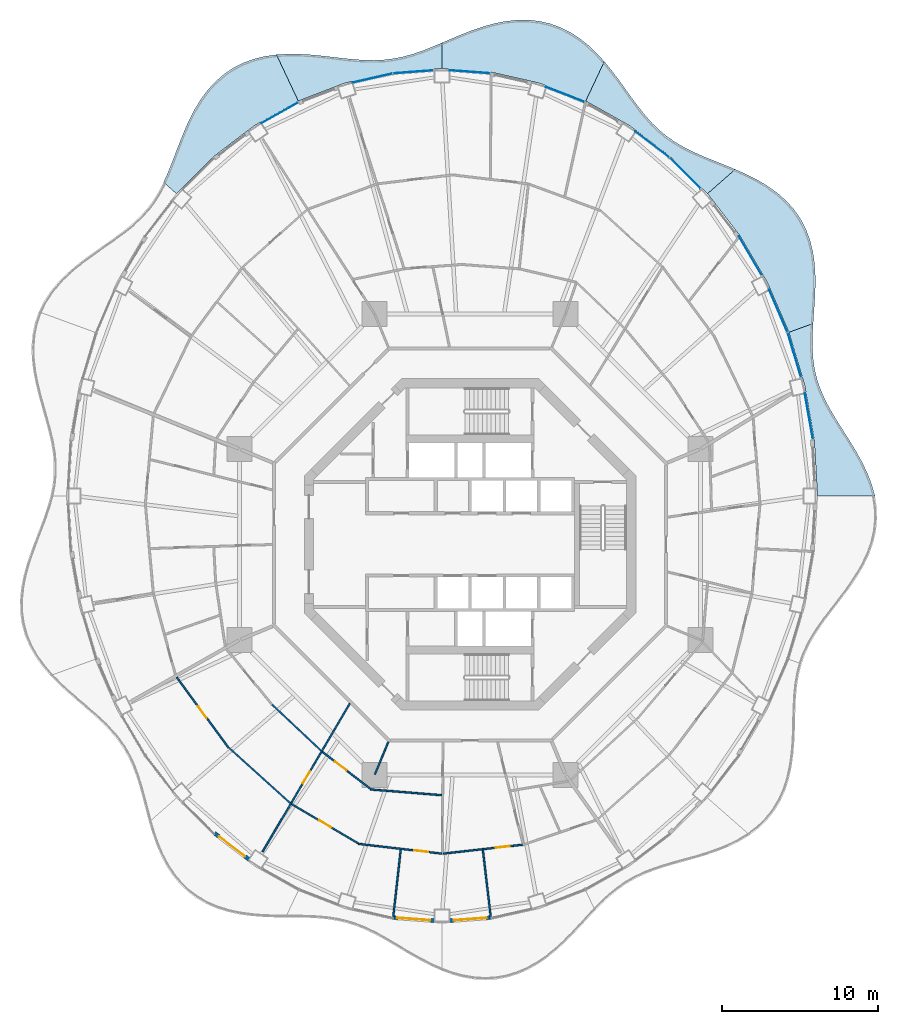
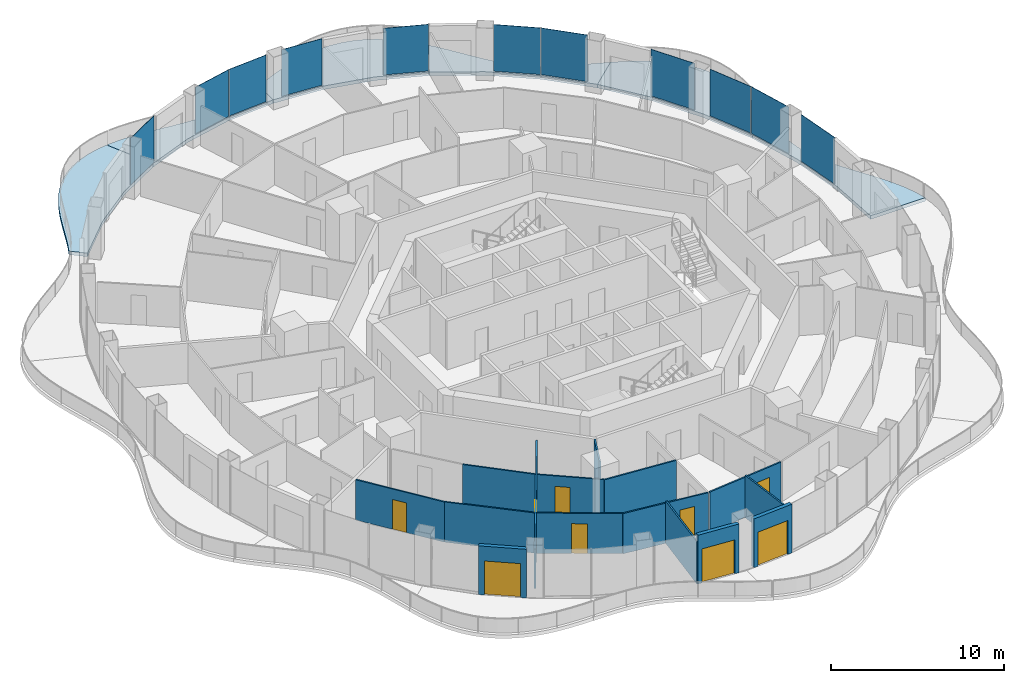
# One storey, part 9 of 18: 15 walls, 11 plates, 9 doors, 6 slabs, 9 openings, 11 elements without a shape of their own.
"""IFC4 building model written with IfcOpenShell, lengths in metres."""

from ifc_helpers import new_model, si_unit, direction, frame, frame_2d, origin, origin_2d, place, context, subcontext, project, spatial, polyline, rectangle, outline, extrude, material, layer, layer_set, type_object, element, fill, aggregate, save


model = new_model("IFC4")

# Units and contexts
model_context = context("Model", 3, precision=1e-05, world=origin(), true_north=direction((0.0, 1.0)))
body_context = subcontext(model_context, "Body", "Model", "MODEL_VIEW")
ifc_project = project(units=[si_unit("LENGTHUNIT", "METRE"), si_unit("AREAUNIT", "SQUARE_METRE"), si_unit("VOLUMEUNIT", "CUBIC_METRE"), si_unit("PLANEANGLEUNIT", "RADIAN"), si_unit("MASSUNIT", "GRAM", prefix="KILO")], contexts=[model_context])

# Site, building, storey
site_placement = place(None, origin())
site = spatial("IfcSite", under=ifc_project, at=site_placement, CompositionType="ELEMENT")
building_placement = place(site_placement, origin())
building = spatial("IfcBuilding", under=site, at=building_placement, Name="Nagisa Residences", CompositionType="ELEMENT")
storey_placement = place(building_placement, frame((0.0, 0.0, 219.60009765625)))
storey = spatial("IfcBuildingStorey", under=building, at=storey_placement, Name="L55", CompositionType="ELEMENT", Elevation=219.60009765625)

# Slabs
ifc_material_1 = material(Name="Concrete C40/50", Category="concrete")
ifc_layer_1 = layer(ifc_material_1, 0.25)
ifc_layer_set_1 = layer_set([ifc_layer_1], Name="BALCONY SLAB 250")
slab_type = type_object("IfcSlabType", Name="BALCONY SLAB 250", PredefinedType="FLOOR", material=ifc_layer_set_1)
slab_1_placement = place(storey_placement, frame((0.0, 0.0, -0.25)))
element("IfcSlab", 1, at=slab_1_placement, inside=storey, type_object=slab_type, Name="slab:L55:bal00", PredefinedType="FLOOR", context=body_context, shape_type="SweptSolid", body=[
    extrude(outline(polyline([(25.9443359375, 3.11767578125), (25.737548828125, 3.860595703125), (25.453857421875, 4.592041015625), (25.10791015625, 5.30859375), (24.716796875, 6.008544921875), (24.299560546875, 6.69140625), (23.875732421875, 7.35888671875), (23.463623046875, 8.013427734375), (23.08056640625, 8.65966796875), (22.741455078125, 9.302734375), (22.45703125, 9.948486328125), (22.234375, 10.60302734375), (22.076416015625, 11.272216796875), (21.980712890625, 11.960205078125), (21.94140625, 12.6708984375), (21.947998046875, 13.4052734375), (21.98681640625, 14.163330078125), (20.437744140625, 13.599365234375), (21.449951171875, 10.206787109375), (22.06396484375, 6.69287109375), (22.27001953125, 3.11767578125), (25.9443359375, 3.11767578125)])), origin(), (0.0, 0.0, 1.0), 0.25),
])
slab_2_placement = place(storey_placement, frame((0.0, 0.0, -0.25)))
element("IfcSlab", 2, at=slab_2_placement, inside=storey, type_object=slab_type, Name="slab:L55:bal01", PredefinedType="FLOOR", context=body_context, shape_type="SweptSolid", body=[
    extrude(outline(polyline([(21.98681640625, 14.163330078125), (22.039794921875, 14.917724609375), (22.091552734375, 15.687255859375), (22.125732421875, 16.466064453125), (22.1259765625, 17.246337890625), (22.07763671875, 18.019775390625), (21.9677734375, 18.77685546875), (21.786376953125, 19.50830078125), (21.52685546875, 20.205322265625), (21.1865234375, 20.8603515625), (20.765625, 21.467041015625), (20.268798828125, 22.021484375), (19.70361328125, 22.52197265625), (19.080078125, 22.969482421875), (18.411376953125, 23.36767578125), (17.710693359375, 23.722900390625), (16.9931640625, 24.04345703125), (15.219970703125, 22.4853515625), (17.2958984375, 19.791748046875), (19.045166015625, 16.812744140625), (20.437744140625, 13.599365234375), (21.98681640625, 14.163330078125)])), origin(), (0.0, 0.0, 1.0), 0.25),
])
slab_3_placement = place(storey_placement, frame((0.0, 0.0, -0.25)))
element("IfcSlab", 3, at=slab_3_placement, inside=storey, type_object=slab_type, Name="slab:L55:bal02", PredefinedType="FLOOR", context=body_context, shape_type="SweptSolid", body=[
    extrude(outline(polyline([(16.9931640625, 24.04345703125), (16.30615234375, 24.326416015625), (15.6279296875, 24.597412109375), (14.96826171875, 24.867431640625), (14.33544921875, 25.147216796875), (13.735107421875, 25.44677734375), (13.169921875, 25.77490234375), (12.64111328125, 26.138916015625), (12.146240234375, 26.5439453125), (11.680908203125, 26.991943359375), (11.2392578125, 27.48291015625), (10.81298828125, 28.01318359375), (10.3935546875, 28.57666015625), (9.9716796875, 29.16455078125), (9.5380859375, 29.765625), (9.084716796875, 30.36669921875), (8.604248046875, 30.953857421875), (7.4111328125, 28.4228515625), (10.235107421875, 26.838134765625), (12.852783203125, 24.84765625), (15.219970703125, 22.4853515625), (16.9931640625, 24.04345703125)])), origin(), (0.0, 0.0, 1.0), 0.25),
])
slab_4_placement = place(storey_placement, frame((0.0, 0.0, -0.25)))
element("IfcSlab", 4, at=slab_4_placement, inside=storey, type_object=slab_type, Name="slab:L55:bal03", PredefinedType="FLOOR", context=body_context, shape_type="SweptSolid", body=[
    extrude(outline(polyline([(8.604248046875, 30.953857421875), (8.110107421875, 31.49267578125), (7.58251953125, 31.992431640625), (7.01953125, 32.4404296875), (6.422119140625, 32.82666015625), (5.7919921875, 33.14208984375), (5.133056640625, 33.380615234375), (4.4501953125, 33.5390625), (3.74951171875, 33.616455078125), (3.037109375, 33.61572265625), (2.320068359375, 33.5419921875), (1.604248046875, 33.403564453125), (0.8955078125, 33.21044921875), (0.197998046875, 32.975341796875), (-0.484375, 32.71142578125), (-1.150634765625, 32.432861328125), (-1.800048828125, 32.153564453125), (-1.800048828125, 30.5078125), (1.341796875, 30.2734375), (4.4296875, 29.574462890625), (7.4111328125, 28.4228515625), (8.604248046875, 30.953857421875)])), origin(), (0.0, 0.0, 1.0), 0.25),
])
slab_5_placement = place(storey_placement, frame((0.0, 0.0, -0.25)))
element("IfcSlab", 5, at=slab_5_placement, inside=storey, type_object=slab_type, Name="slab:L55:bal04", PredefinedType="FLOOR", context=body_context, shape_type="SweptSolid", body=[
    extrude(outline(polyline([(-1.800048828125, 32.153564453125), (-2.43408203125, 31.88623046875), (-3.055419921875, 31.64306640625), (-3.667724609375, 31.43359375), (-4.27587890625, 31.26513671875), (-4.884765625, 31.14208984375), (-5.49951171875, 31.065673828125), (-6.12451171875, 31.034912109375), (-6.76416015625, 31.044921875), (-7.4208984375, 31.08837890625), (-8.09619140625, 31.156494140625), (-8.7900390625, 31.237548828125), (-9.5, 31.319091796875), (-10.22314453125, 31.38818359375), (-10.953857421875, 31.431884765625), (-11.68603515625, 31.43798828125), (-12.412353515625, 31.395263671875), (-11.01123046875, 28.4228515625), (-8.02978515625, 29.574462890625), (-4.941650390625, 30.2734375), (-1.800048828125, 30.5078125), (-1.800048828125, 32.153564453125)])), origin(), (0.0, 0.0, 1.0), 0.25),
])
slab_6_placement = place(storey_placement, frame((0.0, 0.0, -0.25)))
element("IfcSlab", 6, at=slab_6_placement, inside=storey, type_object=slab_type, Name="slab:L55:bal05", PredefinedType="FLOOR", context=body_context, shape_type="SweptSolid", body=[
    extrude(outline(polyline([(-12.412353515625, 31.395263671875), (-13.151123046875, 31.289794921875), (-13.86572265625, 31.114013671875), (-14.548095703125, 30.86328125), (-15.190185546875, 30.53564453125), (-15.78564453125, 30.1328125), (-16.33056640625, 29.65869140625), (-16.82275390625, 29.12060546875), (-17.26220703125, 28.527587890625), (-17.652099609375, 27.890869140625), (-17.99755859375, 27.22265625), (-18.3056640625, 26.535400390625), (-18.586181640625, 25.84130859375), (-18.84912109375, 25.152587890625), (-19.10595703125, 24.4794921875), (-19.3681640625, 23.830322265625), (-19.64697265625, 23.2119140625), (-18.820068359375, 22.4853515625), (-16.452880859375, 24.84765625), (-13.8349609375, 26.838134765625), (-11.01123046875, 28.4228515625), (-12.412353515625, 31.395263671875)])), origin(), (0.0, 0.0, 1.0), 0.25),
])

# Curtain wall, plate
ifc_material_2 = material(Name="Concrete-coloured aluminium curtain wall system", Category="concrete")
ifc_layer_2 = layer(ifc_material_2, 0.159912109375)
ifc_layer_set_2 = layer_set([ifc_layer_2], Name="CW1 CURTAIN WALL")
curtain_wall_type = type_object("IfcCurtainWallType", Name="CW1 CURTAIN WALL", PredefinedType="NOTDEFINED", material=ifc_layer_set_2)
curtain_wall_1_placement = place(storey_placement, origin())
curtain_wall_1 = element("IfcCurtainWall", 7, at=curtain_wall_1_placement, inside=storey, type_object=curtain_wall_type, Name="cw:CW1:L55:01", PredefinedType="NOTDEFINED")
ifc_material_3 = material(Name="Clear laminated glass", Category="glass")
ifc_layer_3 = layer(ifc_material_3, 0.028076171875)
ifc_layer_set_3 = layer_set([ifc_layer_3], Name="CW1 GLASS PANEL")
plate_type = type_object("IfcPlateType", Name="CW1 GLASS PANEL", PredefinedType="CURTAIN_PANEL", material=ifc_layer_set_3)
plate_1_placement = place(storey_placement, frame((21.716064453125, 8.21923828125, 0.14990234375), z_axis=(0.0, 0.0, 1.0), x_axis=(-0.172190868898, 0.985063604377, 0.0)))
plate_1 = element("IfcPlate", 8, at=plate_1_placement, type_object=plate_type, Name="CW1 panel", PredefinedType="CURTAIN_PANEL", context=body_context, shape_type="SweptSolid", body=[
    extrude(rectangle(XDim=3.00732421875, YDim=0.028076171875, at=origin_2d()), origin(), (0.0, 0.0, 1.0), 3.2900390625),
])
aggregate(curtain_wall_1, [plate_1])

curtain_wall_2_placement = place(storey_placement, origin())
curtain_wall_2 = element("IfcCurtainWall", 9, at=curtain_wall_2_placement, inside=storey, type_object=curtain_wall_type, Name="cw:CW1:L55:02", PredefinedType="NOTDEFINED")
plate_2_placement = place(storey_placement, frame((20.787109375, 12.1484375, 0.14990234375), z_axis=(0.0, 0.0, 1.0), x_axis=(-0.285860274038, 0.958271310082, 0.0)))
plate_2 = element("IfcPlate", 10, at=plate_2_placement, type_object=plate_type, Name="CW1 panel", PredefinedType="CURTAIN_PANEL", context=body_context, shape_type="SweptSolid", body=[
    extrude(rectangle(XDim=2.98046875, YDim=0.028076171875, at=origin_2d()), origin(), (0.0, 0.0, 1.0), 3.2900390625),
])
aggregate(curtain_wall_2, [plate_2])

curtain_wall_3_placement = place(storey_placement, origin())
curtain_wall_3 = element("IfcCurtainWall", 11, at=curtain_wall_3_placement, inside=storey, type_object=curtain_wall_type, Name="cw:CW1:L55:03", PredefinedType="NOTDEFINED")
plate_3_placement = place(storey_placement, frame((19.755615234375, 14.972412109375, 0.14990234375), z_axis=(0.0, 0.0, 1.0), x_axis=(-0.397635934147, 0.917543276295, 0.0)))
plate_3 = element("IfcPlate", 12, at=plate_3_placement, type_object=plate_type, Name="CW1 panel", PredefinedType="CURTAIN_PANEL", context=body_context, shape_type="SweptSolid", body=[
    extrude(rectangle(XDim=2.942138671875, YDim=0.028076171875, at=origin_2d()), origin(), (0.0, 0.0, 1.0), 3.2900390625),
])
aggregate(curtain_wall_3, [plate_3])

curtain_wall_4_placement = place(storey_placement, origin())
curtain_wall_4 = element("IfcCurtainWall", 13, at=curtain_wall_4_placement, inside=storey, type_object=curtain_wall_type, Name="cw:CW1:L55:04", PredefinedType="NOTDEFINED")
plate_4_placement = place(storey_placement, frame((17.9599609375, 18.503173828125, 0.14990234375), z_axis=(0.0, 0.0, 1.0), x_axis=(-0.506348567002, 0.862328898214, 0.0)))
plate_4 = element("IfcPlate", 14, at=plate_4_placement, type_object=plate_type, Name="CW1 panel", PredefinedType="CURTAIN_PANEL", context=body_context, shape_type="SweptSolid", body=[
    extrude(rectangle(XDim=2.89453125, YDim=0.028076171875, at=origin_2d()), origin(), (0.0, 0.0, 1.0), 3.2900390625),
])
aggregate(curtain_wall_4, [plate_4])

curtain_wall_5_placement = place(storey_placement, origin())
curtain_wall_5 = element("IfcCurtainWall", 15, at=curtain_wall_5_placement, inside=storey, type_object=curtain_wall_type, Name="cw:CW1:L55:06", PredefinedType="NOTDEFINED")
plate_5_placement = place(storey_placement, frame((13.78173828125, 23.8076171875, 0.14990234375), z_axis=(0.0, 0.0, 1.0), x_axis=(-0.707835924016, 0.706376885714, 0.0)))
plate_5 = element("IfcPlate", 16, at=plate_5_placement, type_object=plate_type, Name="CW1 panel", PredefinedType="CURTAIN_PANEL", context=body_context, shape_type="SweptSolid", body=[
    extrude(rectangle(XDim=2.7841796875, YDim=0.028076171875, at=origin_2d()), origin(), (0.0, 0.0, 1.0), 3.2900390625),
])
aggregate(curtain_wall_5, [plate_5])

curtain_wall_6_placement = place(storey_placement, origin())
curtain_wall_6 = element("IfcCurtainWall", 17, at=curtain_wall_6_placement, inside=storey, type_object=curtain_wall_type, Name="cw:CW1:L55:07", PredefinedType="NOTDEFINED")
plate_6_placement = place(storey_placement, frame((11.670654296875, 25.64599609375, 0.14990234375), z_axis=(0.0, 0.0, 1.0), x_axis=(-0.79603132756, 0.605255421737, 0.0)))
plate_6 = element("IfcPlate", 18, at=plate_6_placement, type_object=plate_type, Name="CW1 panel", PredefinedType="CURTAIN_PANEL", context=body_context, shape_type="SweptSolid", body=[
    extrude(rectangle(XDim=2.728759765625, YDim=0.028076171875, at=origin_2d()), origin(), (0.0, 0.0, 1.0), 3.2900390625),
])
aggregate(curtain_wall_6, [plate_6])

curtain_wall_7_placement = place(storey_placement, origin())
curtain_wall_7 = element("IfcCurtainWall", 19, at=curtain_wall_7_placement, inside=storey, type_object=curtain_wall_type, Name="cw:CW1:L55:09", PredefinedType="NOTDEFINED")
plate_7_placement = place(storey_placement, frame((6.096923828125, 28.8447265625, 0.14990234375), z_axis=(0.0, 0.0, 1.0), x_axis=(-0.932825759707, 0.360327770268, 0.0)))
plate_7 = element("IfcPlate", 20, at=plate_7_placement, type_object=plate_type, Name="CW1 panel", PredefinedType="CURTAIN_PANEL", context=body_context, shape_type="SweptSolid", body=[
    extrude(rectangle(XDim=2.63623046875, YDim=0.028076171875, at=origin_2d()), origin(), (0.0, 0.0, 1.0), 3.2900390625),
])
aggregate(curtain_wall_7, [plate_7])

curtain_wall_8_placement = place(storey_placement, origin())
curtain_wall_8 = element("IfcCurtainWall", 21, at=curtain_wall_8_placement, inside=storey, type_object=curtain_wall_type, Name="cw:CW1:L55:11", PredefinedType="NOTDEFINED")
plate_8_placement = place(storey_placement, frame((-0.015625, 30.29443359375, 0.14990234375), z_axis=(0.0, 0.0, 1.0), x_axis=(-0.997230168512, 0.074377355493, 0.0)))
plate_8 = element("IfcPlate", 22, at=plate_8_placement, type_object=plate_type, Name="CW1 panel", PredefinedType="CURTAIN_PANEL", context=body_context, shape_type="SweptSolid", body=[
    extrude(rectangle(XDim=2.590576171875, YDim=0.028076171875, at=origin_2d()), origin(), (0.0, 0.0, 1.0), 3.2900390625),
])
aggregate(curtain_wall_8, [plate_8])

curtain_wall_9_placement = place(storey_placement, origin())
curtain_wall_9 = element("IfcCurtainWall", 23, at=curtain_wall_9_placement, inside=storey, type_object=curtain_wall_type, Name="cw:CW1:L55:12", PredefinedType="NOTDEFINED")
plate_9_placement = place(storey_placement, frame((-3.64404296875, 30.2900390625, 0.14990234375), z_axis=(0.0, 0.0, 1.0), x_axis=(-0.997230168512, -0.074377355493, 0.0)))
plate_9 = element("IfcPlate", 24, at=plate_9_placement, type_object=plate_type, Name="CW1 panel", PredefinedType="CURTAIN_PANEL", context=body_context, shape_type="SweptSolid", body=[
    extrude(rectangle(XDim=2.590576171875, YDim=0.028076171875, at=origin_2d()), origin(), (0.0, 0.0, 1.0), 3.2900390625),
])
aggregate(curtain_wall_9, [plate_9])

curtain_wall_10_placement = place(storey_placement, origin())
curtain_wall_10 = element("IfcCurtainWall", 25, at=curtain_wall_10_placement, inside=storey, type_object=curtain_wall_type, Name="cw:CW1:L55:13", PredefinedType="NOTDEFINED")
plate_10_placement = place(storey_placement, frame((-6.25341796875, 29.89453125, 0.14990234375), z_axis=(0.0, 0.0, 1.0), x_axis=(-0.975327274089, -0.2207639201, 0.0)))
plate_10 = element("IfcPlate", 26, at=plate_10_placement, type_object=plate_type, Name="CW1 panel", PredefinedType="CURTAIN_PANEL", context=body_context, shape_type="SweptSolid", body=[
    extrude(rectangle(XDim=2.606201171875, YDim=0.028076171875, at=origin_2d()), origin(), (0.0, 0.0, 1.0), 3.2900390625),
])
aggregate(curtain_wall_10, [plate_10])

curtain_wall_11_placement = place(storey_placement, origin())
curtain_wall_11 = element("IfcCurtainWall", 27, at=curtain_wall_11_placement, inside=storey, type_object=curtain_wall_type, Name="cw:CW1:L55:15", PredefinedType="NOTDEFINED")
plate_11_placement = place(storey_placement, frame((-12.192138671875, 27.66845703125, 0.14990234375), z_axis=(0.0, 0.0, 1.0), x_axis=(-0.872072377523, -0.489376918501, 0.0)))
plate_11 = element("IfcPlate", 28, at=plate_11_placement, type_object=plate_type, Name="CW1 panel", PredefinedType="CURTAIN_PANEL", context=body_context, shape_type="SweptSolid", body=[
    extrude(rectangle(XDim=2.677978515625, YDim=0.028076171875, at=origin_2d()), origin(), (0.0, 0.0, 1.0), 3.2900390625),
])
aggregate(curtain_wall_11, [plate_11])

# Wall, opening, door
ifc_material_4 = material(Name="Gypsum board on steel studs", Category="steel")
ifc_layer_4 = layer(ifc_material_4, 0.10009765625)
ifc_layer_set_4 = layer_set([ifc_layer_4], Name="Apartment partition 100")
wall_type_1 = type_object("IfcWallType", Name="Apartment partition 100", PredefinedType="PARTITIONING", material=ifc_layer_set_4)
wall_1_placement = place(storey_placement, frame((-18.804443359375, -8.515625, 0.0), z_axis=(0.0, 0.0, 1.0), x_axis=(0.593249583583, -0.805018590828, 0.0)))
wall_1 = element("IfcWall", 29, at=wall_1_placement, inside=storey, type_object=wall_type_1, Name="wall:L55:u65", PredefinedType="PARTITIONING", context=body_context, shape_type="SweptSolid", body=[
    extrude(rectangle(XDim=5.601806640625, YDim=0.10009765625, at=frame_2d((2.80078125, 0.0))), origin(), (0.0, 0.0, 1.0), 2.8369140625),
])
opening_1_placement = place(wall_1_placement, frame((2.325927734375, 0.0, 0.0)))
opening_1 = element("IfcOpeningElement", 30, at=opening_1_placement, cuts=wall_1, Name="Opening L55-U39", PredefinedType="OPENING", context=body_context, shape_type="SweptSolid", body=[
    extrude(rectangle(XDim=0.89990234375, YDim=2.10009765625, at=frame_2d((0.449951171875, 1.050048828125))), frame((0.0, 0.06005859375, 0.0), z_axis=(0.0, -1.0, 0.0), x_axis=(1.0, 0.0, 0.0)), (0.0, 0.0, 1.0), 0.1201171875),
])
ifc_material_5 = material(Name="Timber door set", Category="wood")
door_type_1 = type_object("IfcDoorType", Name="Apartment door 900x2100", OperationType="NOTDEFINED", PredefinedType="DOOR", material=ifc_material_5)
door_1_placement = place(opening_1_placement, frame((0.89990234375, 0.0, 0.0), x_axis=(-1.0, 0.0, 0.0)))
door_1 = element("IfcDoor", 31, at=door_1_placement, inside=storey, type_object=door_type_1, Name="Door to family room, Apartment 55C", OperationType="SINGLE_SWING_RIGHT", OverallHeight=2.10009765625, OverallWidth=0.89990234375, PredefinedType="DOOR", context=body_context, shape_type="SweptSolid", body=[
    extrude(rectangle(XDim=0.89990234375, YDim=2.10009765625, at=frame_2d((0.449951171875, 1.050048828125))), frame((0.0, 0.02490234375, 0.0), z_axis=(0.0, -1.0, 0.0), x_axis=(1.0, 0.0, 0.0)), (0.0, 0.0, 1.0), 0.050048828125),
])
fill(opening_1, door_1)

# Walls
wall_2_placement = place(storey_placement, frame((-12.6875, -10.269775390625, 0.0), z_axis=(0.0, 0.0, 1.0), x_axis=(0.728268142903, -0.685292282192, 0.0)))
element("IfcWall", 32, at=wall_2_placement, inside=storey, type_object=wall_type_1, Name="wall:L55:u66", PredefinedType="PARTITIONING", context=body_context, shape_type="SweptSolid", body=[
    extrude(rectangle(XDim=4.311767578125, YDim=0.10009765625, at=frame_2d((2.15576171875, 0.0))), origin(), (0.0, 0.0, 1.0), 2.8369140625),
])
wall_3_placement = place(storey_placement, frame((-15.4736328125, -13.0185546875, 0.0), z_axis=(0.0, 0.0, 1.0), x_axis=(0.742348572616, -0.670013878017, 0.0)))
element("IfcWall", 33, at=wall_3_placement, inside=storey, type_object=wall_type_1, Name="wall:L55:u67", PredefinedType="PARTITIONING", context=body_context, shape_type="SweptSolid", body=[
    extrude(rectangle(XDim=5.3193359375, YDim=0.10009765625, at=frame_2d((2.65966796875, 0.0))), origin(), (0.0, 0.0, 1.0), 2.8369140625),
])

# Wall, opening, door
wall_4_placement = place(storey_placement, frame((-7.708740234375, -10.197509765625, 0.0), z_axis=(0.0, 0.0, 1.0), x_axis=(-0.507355901053, -0.8617366127, 0.0)))
wall_4 = element("IfcWall", 34, at=wall_4_placement, inside=storey, type_object=wall_type_1, Name="wall:L55:u68", PredefinedType="PARTITIONING", context=body_context, shape_type="SweptSolid", body=[
    extrude(rectangle(XDim=11.02490234375, YDim=0.10009765625, at=frame_2d((5.512451171875, 0.0))), origin(), (0.0, 0.0, 1.0), 2.761962890625),
])
opening_2_placement = place(wall_4_placement, frame((5.05029296875, 0.0, 0.0)))
opening_2 = element("IfcOpeningElement", 35, at=opening_2_placement, cuts=wall_4, Name="Opening L55-U37", PredefinedType="OPENING", context=body_context, shape_type="SweptSolid", body=[
    extrude(rectangle(XDim=0.89990234375, YDim=2.10009765625, at=frame_2d((0.449951171875, 1.050048828125))), frame((0.0, 0.06005859375, 0.0), z_axis=(0.0, -1.0, 0.0), x_axis=(1.0, 0.0, 0.0)), (0.0, 0.0, 1.0), 0.1201171875),
])
door_2_placement = place(opening_2_placement, frame((0.89990234375, 0.0, 0.0), x_axis=(-1.0, 0.0, 0.0)))
door_2 = element("IfcDoor", 36, at=door_2_placement, inside=storey, type_object=door_type_1, Name="Door to kitchen, Apartment 55C", OperationType="SINGLE_SWING_RIGHT", OverallHeight=2.10009765625, OverallWidth=0.89990234375, PredefinedType="DOOR", context=body_context, shape_type="SweptSolid", body=[
    extrude(rectangle(XDim=0.89990234375, YDim=2.10009765625, at=frame_2d((0.449951171875, 1.050048828125))), frame((0.0, 0.02490234375, 0.0), z_axis=(0.0, -1.0, 0.0), x_axis=(1.0, 0.0, 0.0)), (0.0, 0.0, 1.0), 0.050048828125),
])
fill(opening_2, door_2)

wall_5_placement = place(storey_placement, frame((-9.471435546875, -13.289306640625, 0.0), z_axis=(0.0, 0.0, 1.0), x_axis=(0.7922205419, -0.61023488346, 0.0)))
wall_5 = element("IfcWall", 37, at=wall_5_placement, inside=storey, type_object=wall_type_1, Name="wall:L55:u69", PredefinedType="PARTITIONING", context=body_context, shape_type="SweptSolid", body=[
    extrude(rectangle(XDim=3.916015625, YDim=0.10009765625, at=frame_2d((1.9580078125, 0.0))), origin(), (0.0, 0.0, 1.0), 2.8369140625),
])
opening_3_placement = place(wall_5_placement, frame((1.044921875, 0.0, 0.0)))
opening_3 = element("IfcOpeningElement", 38, at=opening_3_placement, cuts=wall_5, Name="Opening L55-U36", PredefinedType="OPENING", context=body_context, shape_type="SweptSolid", body=[
    extrude(rectangle(XDim=0.89990234375, YDim=2.10009765625, at=frame_2d((0.449951171875, 1.050048828125))), frame((0.0, 0.06005859375, 0.0), z_axis=(0.0, -1.0, 0.0), x_axis=(1.0, 0.0, 0.0)), (0.0, 0.0, 1.0), 0.1201171875),
])
door_3_placement = place(opening_3_placement, origin())
door_3 = element("IfcDoor", 39, at=door_3_placement, inside=storey, type_object=door_type_1, Name="Door to laundry, Apartment 55C", OperationType="SINGLE_SWING_RIGHT", OverallHeight=2.10009765625, OverallWidth=0.89990234375, PredefinedType="DOOR", context=body_context, shape_type="SweptSolid", body=[
    extrude(rectangle(XDim=0.89990234375, YDim=2.10009765625, at=frame_2d((0.449951171875, 1.050048828125))), frame((0.0, 0.02490234375, 0.0), z_axis=(0.0, -1.0, 0.0), x_axis=(1.0, 0.0, 0.0)), (0.0, 0.0, 1.0), 0.050048828125),
])
fill(opening_3, door_3)

wall_6_placement = place(storey_placement, frame((-11.444580078125, -16.641357421875, 0.0), z_axis=(0.0, 0.0, 1.0), x_axis=(0.861562560957, -0.507651409489, 0.0)))
wall_6 = element("IfcWall", 40, at=wall_6_placement, inside=storey, type_object=wall_type_1, Name="wall:L55:u70", PredefinedType="PARTITIONING", context=body_context, shape_type="SweptSolid", body=[
    extrude(rectangle(XDim=4.98486328125, YDim=0.10009765625, at=frame_2d((2.492431640625, 0.0))), origin(), (0.0, 0.0, 1.0), 2.8369140625),
])
opening_4_placement = place(wall_6_placement, frame((2.04248046875, 0.0, 0.0)))
opening_4 = element("IfcOpeningElement", 41, at=opening_4_placement, cuts=wall_6, Name="Opening L55-U33", PredefinedType="OPENING", context=body_context, shape_type="SweptSolid", body=[
    extrude(rectangle(XDim=0.89990234375, YDim=2.10009765625, at=frame_2d((0.449951171875, 1.050048828125))), frame((0.0, 0.06005859375, 0.0), z_axis=(0.0, -1.0, 0.0), x_axis=(1.0, 0.0, 0.0)), (0.0, 0.0, 1.0), 0.1201171875),
])
door_4_placement = place(opening_4_placement, frame((0.89990234375, 0.0, 0.0), x_axis=(-1.0, 0.0, 0.0)))
door_4 = element("IfcDoor", 42, at=door_4_placement, inside=storey, type_object=door_type_1, Name="Door to bedroom, Apartment 55C", OperationType="SINGLE_SWING_RIGHT", OverallHeight=2.10009765625, OverallWidth=0.89990234375, PredefinedType="DOOR", context=body_context, shape_type="SweptSolid", body=[
    extrude(rectangle(XDim=0.89990234375, YDim=2.10009765625, at=frame_2d((0.449951171875, 1.050048828125))), frame((0.0, 0.02490234375, 0.0), z_axis=(0.0, -1.0, 0.0), x_axis=(1.0, 0.0, 0.0)), (0.0, 0.0, 1.0), 0.050048828125),
])
fill(opening_4, door_4)

# Walls
wall_7_placement = place(storey_placement, frame((-5.24267578125, -12.6572265625, 0.0), z_axis=(0.0, 0.0, 1.0), x_axis=(-0.382719158442, -0.923864733477, 0.0)))
element("IfcWall", 43, at=wall_7_placement, inside=storey, type_object=wall_type_1, Name="wall:L55:u71", PredefinedType="PARTITIONING", context=body_context, shape_type="SweptSolid", body=[
    extrude(rectangle(XDim=2.25, YDim=0.10009765625, at=frame_2d((1.125, 0.0))), origin(), (0.0, 0.0, 1.0), 3.43994140625),
])
wall_8_placement = place(storey_placement, frame((-6.37939453125, -15.705322265625, 0.0), z_axis=(0.0, 0.0, 1.0), x_axis=(0.996786462227, -0.080104611105, 0.0)))
element("IfcWall", 44, at=wall_8_placement, inside=storey, type_object=wall_type_1, Name="wall:L55:u72", PredefinedType="PARTITIONING", context=body_context, shape_type="SweptSolid", body=[
    extrude(rectangle(XDim=4.58984375, YDim=0.10009765625, at=frame_2d((2.294921875, 0.0))), origin(), (0.0, 0.0, 1.0), 2.8369140625),
])

# Wall, opening, door
wall_9_placement = place(storey_placement, frame((-7.156494140625, -19.19140625, 0.0), z_axis=(0.0, 0.0, 1.0), x_axis=(0.993172627718, -0.116653896424, 0.0)))
wall_9 = element("IfcWall", 45, at=wall_9_placement, inside=storey, type_object=wall_type_1, Name="wall:L55:u73", PredefinedType="PARTITIONING", context=body_context, shape_type="SweptSolid", body=[
    extrude(rectangle(XDim=5.3681640625, YDim=0.10009765625, at=frame_2d((2.68408203125, 0.0))), origin(), (0.0, 0.0, 1.0), 2.8369140625),
])
opening_5_placement = place(wall_9_placement, frame((3.601318359375, 0.0, 0.0)))
opening_5 = element("IfcOpeningElement", 46, at=opening_5_placement, cuts=wall_9, Name="Opening L55-U34", PredefinedType="OPENING", context=body_context, shape_type="SweptSolid", body=[
    extrude(rectangle(XDim=0.89990234375, YDim=2.10009765625, at=frame_2d((0.449951171875, 1.050048828125))), frame((0.0, 0.06005859375, 0.0), z_axis=(0.0, -1.0, 0.0), x_axis=(1.0, 0.0, 0.0)), (0.0, 0.0, 1.0), 0.1201171875),
])
door_5_placement = place(opening_5_placement, frame((0.89990234375, 0.0, 0.0), x_axis=(-1.0, 0.0, 0.0)))
door_5 = element("IfcDoor", 47, at=door_5_placement, inside=storey, type_object=door_type_1, Name="Door to master bedroom, Apartment 55C", OperationType="SINGLE_SWING_LEFT", OverallHeight=2.10009765625, OverallWidth=0.89990234375, PredefinedType="DOOR", context=body_context, shape_type="SweptSolid", body=[
    extrude(rectangle(XDim=0.89990234375, YDim=2.10009765625, at=frame_2d((0.449951171875, 1.050048828125))), frame((0.0, 0.02490234375, 0.0), z_axis=(0.0, -1.0, 0.0), x_axis=(1.0, 0.0, 0.0)), (0.0, 0.0, 1.0), 0.050048828125),
])
fill(opening_5, door_5)

# Wall
wall_10_placement = place(storey_placement, frame((-4.446533203125, -19.56005859375, 0.0), z_axis=(0.0, 0.0, 1.0), x_axis=(-0.109897425445, -0.993942933915, 0.0)))
element("IfcWall", 48, at=wall_10_placement, inside=storey, type_object=wall_type_1, Name="wall:L55:u74", PredefinedType="PARTITIONING", context=body_context, shape_type="SweptSolid", body=[
    extrude(rectangle(XDim=4.46533203125, YDim=0.10009765625, at=frame_2d((2.232666015625, 0.0))), origin(), (0.0, 0.0, 1.0), 2.98291015625),
])

# Wall, opening, door
wall_11_placement = place(storey_placement, frame((-1.7255859375, -19.81787109375, 0.0), z_axis=(0.0, 0.0, 1.0), x_axis=(0.99381893047, 0.111013212902, 0.0)))
wall_11 = element("IfcWall", 49, at=wall_11_placement, inside=storey, type_object=wall_type_1, Name="wall:L55:u76", PredefinedType="PARTITIONING", context=body_context, shape_type="SweptSolid", body=[
    extrude(rectangle(XDim=5.113037109375, YDim=0.10009765625, at=frame_2d((2.556640625, 0.0))), origin(), (0.0, 0.0, 1.0), 2.8369140625),
])
opening_6_placement = place(wall_11_placement, frame((3.385009765625, 0.0, 0.0)))
opening_6 = element("IfcOpeningElement", 50, at=opening_6_placement, cuts=wall_11, Name="Opening L55-U35", PredefinedType="OPENING", context=body_context, shape_type="SweptSolid", body=[
    extrude(rectangle(XDim=0.89990234375, YDim=2.10009765625, at=frame_2d((0.449951171875, 1.050048828125))), frame((0.0, 0.06005859375, 0.0), z_axis=(0.0, -1.0, 0.0), x_axis=(1.0, 0.0, 0.0)), (0.0, 0.0, 1.0), 0.1201171875),
])
door_6_placement = place(opening_6_placement, frame((0.89990234375, 0.0, 0.0), x_axis=(-1.0, 0.0, 0.0)))
door_6 = element("IfcDoor", 51, at=door_6_placement, inside=storey, type_object=door_type_1, Name="Door to bedroom, Apartment 55C", OperationType="SINGLE_SWING_RIGHT", OverallHeight=2.10009765625, OverallWidth=0.89990234375, PredefinedType="DOOR", context=body_context, shape_type="SweptSolid", body=[
    extrude(rectangle(XDim=0.89990234375, YDim=2.10009765625, at=frame_2d((0.449951171875, 1.050048828125))), frame((0.0, 0.02490234375, 0.0), z_axis=(0.0, -1.0, 0.0), x_axis=(1.0, 0.0, 0.0)), (0.0, 0.0, 1.0), 0.050048828125),
])
fill(opening_6, door_6)

# Wall
wall_12_placement = place(storey_placement, frame((0.821044921875, -19.583740234375, 0.0), z_axis=(0.0, 0.0, 1.0), x_axis=(0.116120946841, -0.993235080786, 0.0)))
element("IfcWall", 52, at=wall_12_placement, inside=storey, type_object=wall_type_1, Name="wall:L55:u77", PredefinedType="PARTITIONING", context=body_context, shape_type="SweptSolid", body=[
    extrude(rectangle(XDim=4.444580078125, YDim=0.10009765625, at=frame_2d((2.22216796875, 0.0))), origin(), (0.0, 0.0, 1.0), 2.98291015625),
])

# Wall, opening, door
ifc_material_6 = material(Name="Precast concrete C40/50", Category="concrete")
ifc_layer_5 = layer(ifc_material_6, 0.25)
ifc_layer_set_5 = layer_set([ifc_layer_5], Name="BALCONY DOOR WALL 250")
wall_type_2 = type_object("IfcWallType", Name="BALCONY DOOR WALL 250", PredefinedType="SOLIDWALL", material=ifc_layer_set_5)
wall_13_placement = place(storey_placement, frame((-14.157470703125, -20.20068359375, 0.0), z_axis=(0.0, 0.0, 1.0), x_axis=(-0.795990084031, 0.60530966135, 0.0)))
wall_13 = element("IfcWall", 53, at=wall_13_placement, inside=storey, type_object=wall_type_2, Name="wall:L55:bay31", PredefinedType="SOLIDWALL", context=body_context, shape_type="SweptSolid", body=[
    extrude(rectangle(XDim=2.78857421875, YDim=0.25, at=frame_2d((1.394287109375, 0.0))), origin(), (0.0, 0.0, 1.0), 3.43994140625),
])
opening_7_placement = place(wall_13_placement, frame((0.34423828125, 0.0, 0.0)))
opening_7 = element("IfcOpeningElement", 54, at=opening_7_placement, cuts=wall_13, Name="Opening BD-L55-11", PredefinedType="OPENING", context=body_context, shape_type="SweptSolid", body=[
    extrude(rectangle(XDim=2.10009765625, YDim=2.39990234375, at=frame_2d((1.050048828125, 1.199951171875))), frame((0.0, 0.135009765625, 0.0), z_axis=(0.0, -1.0, 0.0), x_axis=(1.0, 0.0, 0.0)), (0.0, 0.0, 1.0), 0.27001953125),
])
ifc_material_7 = material(Name="Aluminium and clear glass", Category="aluminium")
door_type_2 = type_object("IfcDoorType", Name="BALCONY SLIDING DOOR 2100x2400", OperationType="SLIDING_TO_LEFT", PredefinedType="DOOR", material=ifc_material_7)
door_7_placement = place(opening_7_placement, origin())
door_7 = element("IfcDoor", 55, at=door_7_placement, inside=storey, type_object=door_type_2, Name="door:L55:bay31", OperationType="SLIDING_TO_LEFT", OverallHeight=2.39990234375, OverallWidth=2.10009765625, PredefinedType="DOOR", context=body_context, shape_type="SweptSolid", body=[
    extrude(rectangle(XDim=2.10009765625, YDim=2.39990234375, at=frame_2d((1.050048828125, 1.199951171875))), frame((0.0, 0.02490234375, 0.0), z_axis=(0.0, -1.0, 0.0), x_axis=(1.0, 0.0, 0.0)), (0.0, 0.0, 1.0), 0.050048828125),
])
fill(opening_7, door_7)

wall_14_placement = place(storey_placement, frame((-2.289306640625, -24.1103515625, 0.0), z_axis=(0.0, 0.0, 1.0), x_axis=(-0.997233213085, 0.074336523458, 0.0)))
wall_14 = element("IfcWall", 56, at=wall_14_placement, inside=storey, type_object=wall_type_2, Name="wall:L55:bay35", PredefinedType="SOLIDWALL", context=body_context, shape_type="SweptSolid", body=[
    extrude(rectangle(XDim=2.650390625, YDim=0.25, at=frame_2d((1.3251953125, 0.0))), origin(), (0.0, 0.0, 1.0), 3.43994140625),
])
opening_8_placement = place(wall_14_placement, frame((0.275146484375, 0.0, 0.0)))
opening_8 = element("IfcOpeningElement", 57, at=opening_8_placement, cuts=wall_14, Name="Opening BD-L55-12", PredefinedType="OPENING", context=body_context, shape_type="SweptSolid", body=[
    extrude(rectangle(XDim=2.10009765625, YDim=2.39990234375, at=frame_2d((1.050048828125, 1.199951171875))), frame((0.0, 0.135009765625, 0.0), z_axis=(0.0, -1.0, 0.0), x_axis=(1.0, 0.0, 0.0)), (0.0, 0.0, 1.0), 0.27001953125),
])
door_8_placement = place(opening_8_placement, origin())
door_8 = element("IfcDoor", 58, at=door_8_placement, inside=storey, type_object=door_type_2, Name="door:L55:bay35", OperationType="SLIDING_TO_LEFT", OverallHeight=2.39990234375, OverallWidth=2.10009765625, PredefinedType="DOOR", context=body_context, shape_type="SweptSolid", body=[
    extrude(rectangle(XDim=2.10009765625, YDim=2.39990234375, at=frame_2d((1.050048828125, 1.199951171875))), frame((0.0, 0.02490234375, 0.0), z_axis=(0.0, -1.0, 0.0), x_axis=(1.0, 0.0, 0.0)), (0.0, 0.0, 1.0), 0.050048828125),
])
fill(opening_8, door_8)

wall_15_placement = place(storey_placement, frame((1.33251953125, -23.913330078125, 0.0), z_axis=(0.0, 0.0, 1.0), x_axis=(-0.997233722033, -0.074329695546, 0.0)))
wall_15 = element("IfcWall", 59, at=wall_15_placement, inside=storey, type_object=wall_type_2, Name="wall:L55:bay36", PredefinedType="SOLIDWALL", context=body_context, shape_type="SweptSolid", body=[
    extrude(rectangle(XDim=2.650634765625, YDim=0.25, at=frame_2d((1.3251953125, 0.0))), origin(), (0.0, 0.0, 1.0), 3.43994140625),
])
opening_9_placement = place(wall_15_placement, frame((0.275146484375, 0.0, 0.0)))
opening_9 = element("IfcOpeningElement", 60, at=opening_9_placement, cuts=wall_15, Name="Opening BD-L55-13", PredefinedType="OPENING", context=body_context, shape_type="SweptSolid", body=[
    extrude(rectangle(XDim=2.10009765625, YDim=2.39990234375, at=frame_2d((1.050048828125, 1.199951171875))), frame((0.0, 0.135009765625, 0.0), z_axis=(0.0, -1.0, 0.0), x_axis=(1.0, 0.0, 0.0)), (0.0, 0.0, 1.0), 0.27001953125),
])
door_9_placement = place(opening_9_placement, origin())
door_9 = element("IfcDoor", 61, at=door_9_placement, inside=storey, type_object=door_type_2, Name="door:L55:bay36", OperationType="SLIDING_TO_LEFT", OverallHeight=2.39990234375, OverallWidth=2.10009765625, PredefinedType="DOOR", context=body_context, shape_type="SweptSolid", body=[
    extrude(rectangle(XDim=2.10009765625, YDim=2.39990234375, at=frame_2d((1.050048828125, 1.199951171875))), frame((0.0, 0.02490234375, 0.0), z_axis=(0.0, -1.0, 0.0), x_axis=(1.0, 0.0, 0.0)), (0.0, 0.0, 1.0), 0.050048828125),
])
fill(opening_9, door_9)

save(model, "model.ifc")
